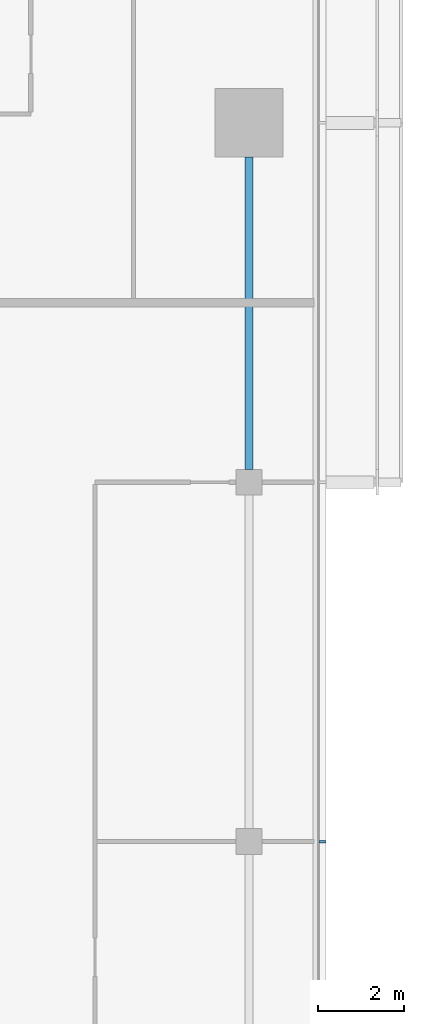
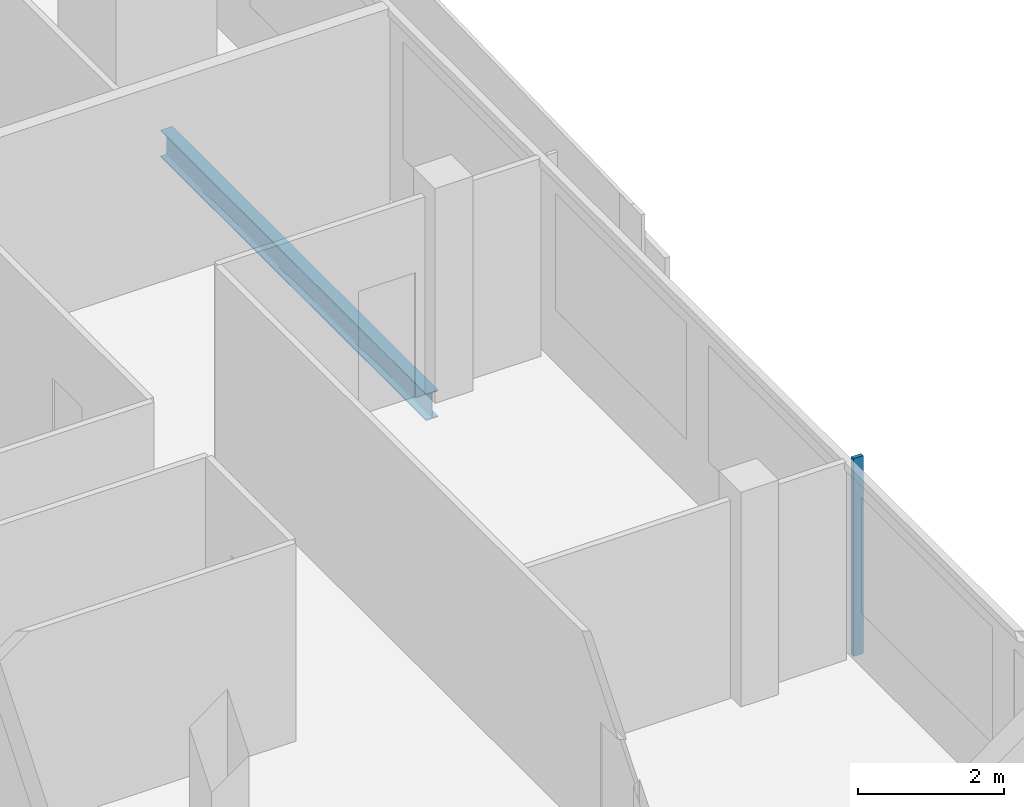
# One storey, part 12 of 30: 1 beam, 1 member, 1 element without a shape of its own.
"""IFC4 building model written with IfcOpenShell, lengths in metres."""

from ifc_helpers import new_model, si_unit, direction, frame, origin, origin_2d, place, context, subcontext, project, spatial, rectangle, i_section, extrude, material, material_profile, profile_set, type_object, element, aggregate, save


model = new_model("IFC4")

# Units and contexts
model_context = context("Model", 3, precision=1e-05, world=origin(), true_north=direction((0.0, 1.0)))
body_context = subcontext(model_context, "Body", "Model", "MODEL_VIEW")
ifc_project = project(units=[si_unit("LENGTHUNIT", "METRE"), si_unit("AREAUNIT", "SQUARE_METRE"), si_unit("VOLUMEUNIT", "CUBIC_METRE"), si_unit("PLANEANGLEUNIT", "RADIAN"), si_unit("MASSUNIT", "GRAM", prefix="KILO")], contexts=[model_context])

# Site, building, storey
site_placement = place(None, origin())
site = spatial("IfcSite", under=ifc_project, at=site_placement, CompositionType="ELEMENT")
building_placement = place(site_placement, origin())
building = spatial("IfcBuilding", under=site, at=building_placement, Name="Saffron Gate Tower", CompositionType="ELEMENT")
storey_placement = place(building_placement, frame((0.0, 0.0, 223.5)))
storey = spatial("IfcBuildingStorey", under=building, at=storey_placement, Name="L54", CompositionType="ELEMENT", Elevation=223.5)

# Beam
ifc_material_1 = material(Name="Structural steel S355", Category="steel")
ifc_material_profile_1 = material_profile(ifc_material_1, i_section(OverallWidth=0.18994140625, OverallDepth=0.449951171875, WebThickness=0.009521484375, FlangeThickness=0.0146484375, FilletRadius=0.02099609375, at=origin_2d()))
ifc_profile_set_1 = profile_set([ifc_material_profile_1], Name="Structural steel S355")
beam_type = type_object("IfcBeamType", Name="B7 IPE 450", PredefinedType="SPANDREL", material=ifc_profile_set_1)
beam_placement = place(storey_placement, frame((125.39990234375, 57.300048828125, -0.5048828125), z_axis=(0.0, 1.0, 0.0), x_axis=(-1.0, 0.0, 0.0)))
element("IfcBeam", 1, at=beam_placement, inside=storey, type_object=beam_type, Name="B7 SPANDREL BEAM", PredefinedType="SPANDREL", context=body_context, shape_type="SweptSolid", body=[
    extrude(i_section(OverallWidth=0.18994140625, OverallDepth=0.449951171875, WebThickness=0.009521484375, FlangeThickness=0.0146484375, FilletRadius=0.02099609375, at=origin_2d()), origin(), (0.0, 0.0, 1.0), 7.300048828125),
])

# Curtain wall, member
ifc_material_2 = material(Name="Aluminium, bronze anodised", Category="aluminium")
curtain_wall_type = type_object("IfcCurtainWallType", Name="CWS2 curtain wall side facades", PredefinedType="NOTDEFINED", material=ifc_material_2)
curtain_wall_placement = place(storey_placement, origin())
curtain_wall = element("IfcCurtainWall", 2, at=curtain_wall_placement, inside=storey, type_object=curtain_wall_type, Name="CWS2 run 4", PredefinedType="NOTDEFINED")
ifc_material_profile_2 = material_profile(ifc_material_2, rectangle(XDim=0.159912109375, YDim=0.06005859375, at=origin_2d()))
ifc_profile_set_2 = profile_set([ifc_material_profile_2], Name="Aluminium, bronze anodised")
member_type = type_object("IfcMemberType", Name="CWS2 mullion 60x160", PredefinedType="MULLION", material=ifc_profile_set_2)
member_placement = place(storey_placement, frame((127.1201171875, 48.60009765625, 0.0), z_axis=(0.0, 0.0, 1.0), x_axis=(-1.0, 0.0, 0.0)))
member = element("IfcMember", 3, at=member_placement, type_object=member_type, Name="CWS2 mullion 3", PredefinedType="MULLION", context=body_context, shape_type="SweptSolid", body=[
    extrude(rectangle(XDim=0.159912109375, YDim=0.06005859375, at=origin_2d()), origin(), (0.0, 0.0, 1.0), 3.320068359375),
])
aggregate(curtain_wall, [member])

save(model, "model.ifc")
